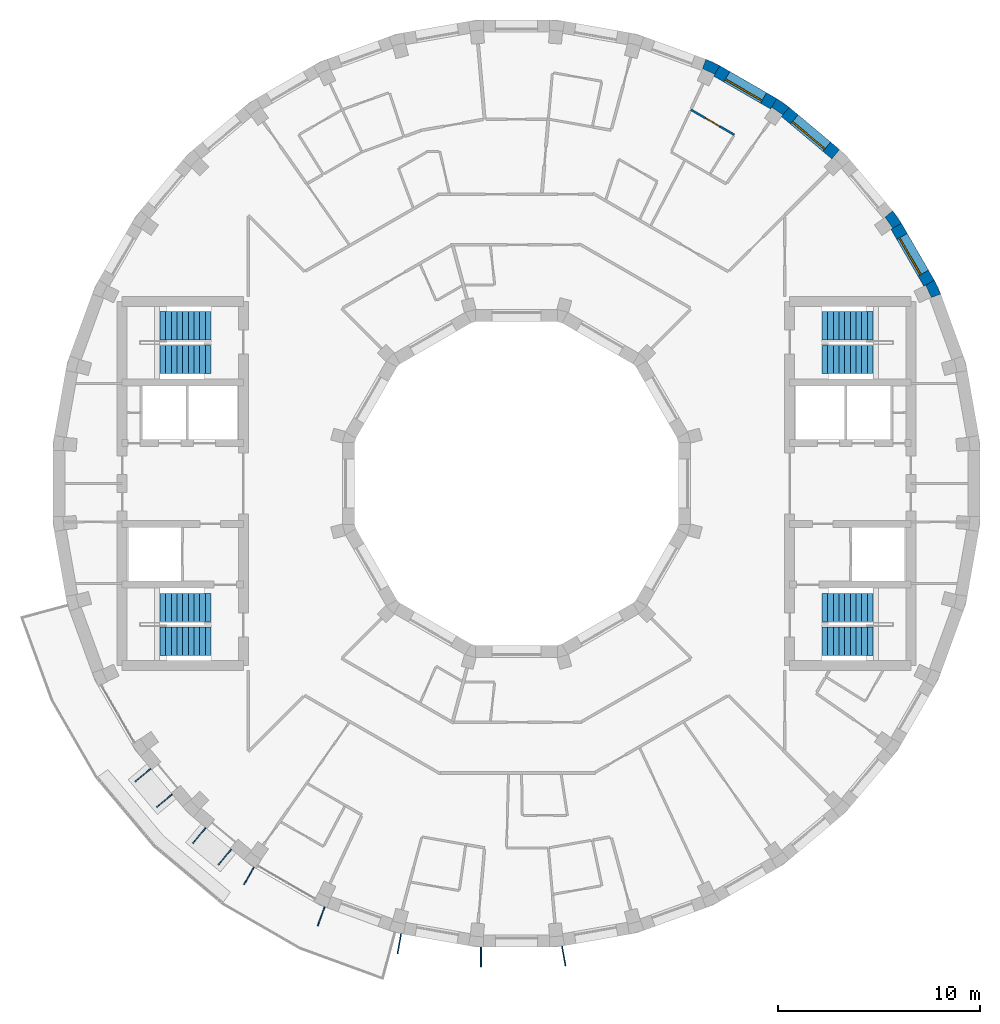
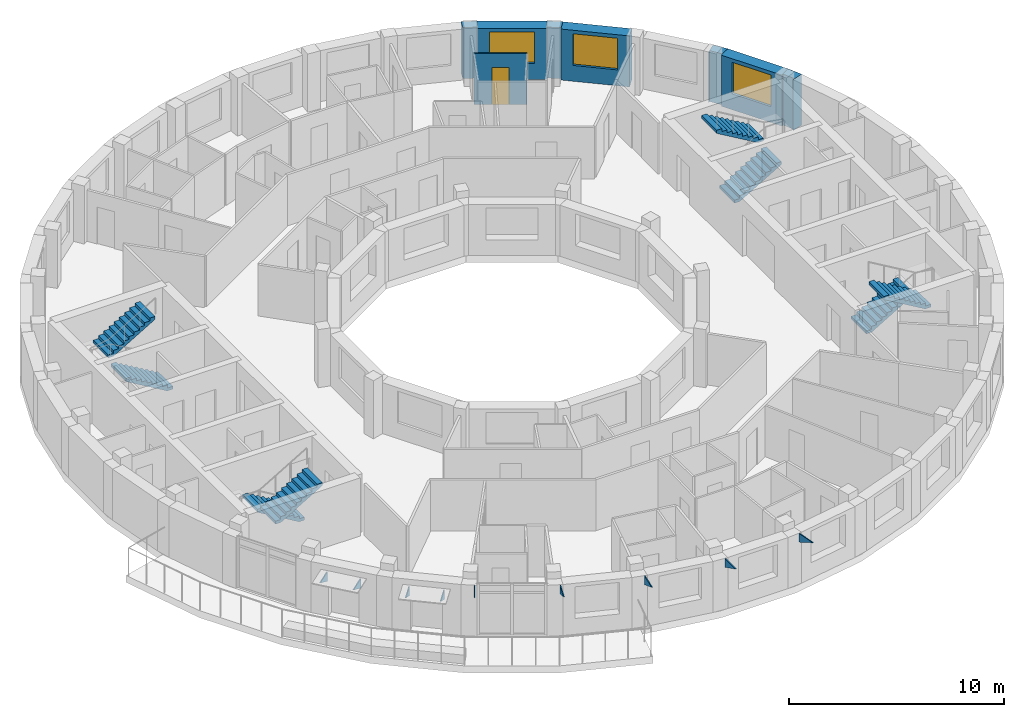
# One storey, part 11 of 12: 9 discrete accessories, 8 stair flights, 8 walls, 3 windows, 1 door, 4 openings, 4 elements without a shape of their own.
"""IFC4 building model written with IfcOpenShell, lengths in metres."""

from ifc_helpers import new_model, si_unit, direction, frame, frame_2d, origin, place, context, subcontext, project, spatial, polyline, rectangle, outline, extrude, material, layer, layer_set, type_object, element, fill, aggregate, save


model = new_model("IFC4")

# Units and contexts
model_context = context("Model", 3, precision=1e-05, world=origin(), true_north=direction((0.0, 1.0)))
body_context = subcontext(model_context, "Body", "Model", "MODEL_VIEW")
ifc_project = project(units=[si_unit("LENGTHUNIT", "METRE"), si_unit("AREAUNIT", "SQUARE_METRE"), si_unit("VOLUMEUNIT", "CUBIC_METRE"), si_unit("PLANEANGLEUNIT", "RADIAN"), si_unit("MASSUNIT", "GRAM", prefix="KILO")], contexts=[model_context])

# Site, building, storey
site_placement = place(None, origin())
site = spatial("IfcSite", under=ifc_project, at=site_placement, CompositionType="ELEMENT")
building_placement = place(site_placement, origin())
building = spatial("IfcBuilding", under=site, at=building_placement, Name="Saqina Gate Tower", CompositionType="ELEMENT")
storey_placement = place(building_placement, frame((0.0, 0.0, 266.0)))
storey = spatial("IfcBuildingStorey", under=building, at=storey_placement, Name="L76", CompositionType="ELEMENT", Elevation=266.0)

# Walls
ifc_material_1 = material(Name="Brick masonry (buff)", Category="masonry")
wall_type_1 = type_object("IfcWallType", Name="BRICK PIER COPING BUFF", PredefinedType="SOLIDWALL", material=ifc_material_1)
wall_1_placement = place(storey_placement, origin())
element("IfcWall", 1, at=wall_1_placement, inside=storey, type_object=wall_type_1, Name="Pier cap L76 column 3", PredefinedType="SOLIDWALL", context=body_context, shape_type="SweptSolid", body=[
    extrude(outline(polyline([(20.974609375, 9.3642578125), (20.65576171875, 10.048095703125), (20.135986328125, 9.748291015625), (20.23193359375, 9.79296875), (20.506591796875, 9.203857421875), (20.410888671875, 9.1591796875), (20.974609375, 9.3642578125)])), origin(), (0.0, 0.0, 1.0), 2.89990234375),
])
wall_2_placement = place(storey_placement, origin())
element("IfcWall", 2, at=wall_2_placement, inside=storey, type_object=wall_type_1, Name="Pier cap L76 column 4", PredefinedType="SOLIDWALL", context=body_context, shape_type="SweptSolid", body=[
    extrude(outline(polyline([(19.02978515625, 12.8642578125), (18.59716796875, 13.482421875), (18.137451171875, 13.0966796875), (18.22412109375, 13.157470703125), (18.596923828125, 12.625), (18.51025390625, 12.564208984375), (19.02978515625, 12.8642578125)])), origin(), (0.0, 0.0, 1.0), 2.89990234375),
])
wall_3_placement = place(storey_placement, origin())
element("IfcWall", 3, at=wall_3_placement, inside=storey, type_object=wall_type_1, Name="Pier cap L76 column 6", PredefinedType="SOLIDWALL", context=body_context, shape_type="SweptSolid", body=[
    extrude(outline(polyline([(12.8642578125, 19.02978515625), (12.564208984375, 18.51025390625), (12.625, 18.596923828125), (13.157470703125, 18.22412109375), (13.0966796875, 18.137451171875), (13.482421875, 18.59716796875), (12.8642578125, 19.02978515625)])), origin(), (0.0, 0.0, 1.0), 2.89990234375),
])
wall_4_placement = place(storey_placement, origin())
element("IfcWall", 4, at=wall_4_placement, inside=storey, type_object=wall_type_1, Name="Pier cap L76 column 7", PredefinedType="SOLIDWALL", context=body_context, shape_type="SweptSolid", body=[
    extrude(outline(polyline([(10.048095703125, 20.65576171875), (9.3642578125, 20.974609375), (9.1591796875, 20.410888671875), (9.203857421875, 20.506591796875), (9.79296875, 20.23193359375), (9.748291015625, 20.135986328125), (10.048095703125, 20.65576171875)])), origin(), (0.0, 0.0, 1.0), 2.89990234375),
])

# Wall, opening, window
ifc_material_2 = material(Name="Brick masonry (buff)", Category="masonry")
ifc_layer_1 = layer(ifc_material_2, 0.60009765625)
ifc_layer_set_1 = layer_set([ifc_layer_1], Name="FW-BRICK-BUFF")
wall_type_2 = type_object("IfcWallType", Name="FW-BRICK-BUFF", PredefinedType="SOLIDWALL", material=ifc_layer_set_1)
wall_5_placement = place(storey_placement, frame((20.39599609375, 9.898193359375, 0.0), z_axis=(0.0, 0.0, 1.0), x_axis=(-0.500014901547, 0.866016800201, 0.0)))
wall_5 = element("IfcWall", 5, at=wall_5_placement, inside=storey, type_object=wall_type_2, Name="Facade wall L76 facet 3", PredefinedType="SOLIDWALL", context=body_context, shape_type="SweptSolid", body=[
    extrude(rectangle(XDim=3.251953125, YDim=0.60009765625, at=frame_2d((1.6259765625, 0.0))), origin(), (0.0, 0.0, 1.0), 2.89990234375),
])
opening_1_placement = place(wall_5_placement, frame((0.57568359375, 0.0, 0.89990234375)))
opening_1 = element("IfcOpeningElement", 6, at=opening_1_placement, cuts=wall_5, Name="Opening G22-W01", PredefinedType="OPENING", context=body_context, shape_type="SweptSolid", body=[
    extrude(rectangle(XDim=2.10009765625, YDim=1.800048828125, at=frame_2d((1.050048828125, 0.89990234375))), frame((0.0, 0.31201171875, 0.0), z_axis=(0.0, -1.0, 0.0), x_axis=(1.0, 0.0, 0.0)), (0.0, 0.0, 1.0), 0.6240234375),
])
ifc_material_3 = material(Name="Aluminium glazing", Category="aluminium")
window_type = type_object("IfcWindowType", Name="WN-D", PartitioningType="SINGLE_PANEL", PredefinedType="WINDOW", material=ifc_material_3)
window_1_placement = place(opening_1_placement, origin())
window_1 = element("IfcWindow", 7, at=window_1_placement, inside=storey, type_object=window_type, Name="Window L76 facet 3", OverallHeight=1.800048828125, OverallWidth=2.10009765625, PartitioningType="SINGLE_PANEL", PredefinedType="WINDOW", context=body_context, shape_type="SweptSolid", body=[
    extrude(rectangle(XDim=2.10009765625, YDim=1.800048828125, at=frame_2d((1.050048828125, 0.89990234375))), frame((0.0, 0.179931640625, 0.0), z_axis=(0.0, -1.0, 0.0), x_axis=(1.0, 0.0, 0.0)), (0.0, 0.0, 1.0), 0.06005859375),
])
fill(opening_1, window_1)

wall_6_placement = place(storey_placement, frame((15.780517578125, 16.277099609375, 0.0), z_axis=(0.0, 0.0, 1.0), x_axis=(-0.766056773982, 0.64277291405, 0.0)))
wall_6 = element("IfcWall", 8, at=wall_6_placement, inside=storey, type_object=wall_type_2, Name="Facade wall L76 facet 5", PredefinedType="SOLIDWALL", context=body_context, shape_type="SweptSolid", body=[
    extrude(rectangle(XDim=3.251708984375, YDim=0.60009765625, at=frame_2d((1.6259765625, 0.0))), origin(), (0.0, 0.0, 1.0), 2.89990234375),
])
opening_2_placement = place(wall_6_placement, frame((0.57568359375, 0.0, 0.89990234375)))
opening_2 = element("IfcOpeningElement", 9, at=opening_2_placement, cuts=wall_6, Name="Opening G22-W03", PredefinedType="OPENING", context=body_context, shape_type="SweptSolid", body=[
    extrude(rectangle(XDim=2.10009765625, YDim=1.800048828125, at=frame_2d((1.050048828125, 0.89990234375))), frame((0.0, 0.31201171875, 0.0), z_axis=(0.0, -1.0, 0.0), x_axis=(1.0, 0.0, 0.0)), (0.0, 0.0, 1.0), 0.6240234375),
])
window_2_placement = place(opening_2_placement, origin())
window_2 = element("IfcWindow", 10, at=window_2_placement, inside=storey, type_object=window_type, Name="Window L76 facet 5", OverallHeight=1.800048828125, OverallWidth=2.10009765625, PartitioningType="SINGLE_PANEL", PredefinedType="WINDOW", context=body_context, shape_type="SweptSolid", body=[
    extrude(rectangle(XDim=2.10009765625, YDim=1.800048828125, at=frame_2d((1.050048828125, 0.89990234375))), frame((0.0, 0.179931640625, 0.0), z_axis=(0.0, -1.0, 0.0), x_axis=(1.0, 0.0, 0.0)), (0.0, 0.0, 1.0), 0.06005859375),
])
fill(opening_2, window_2)

wall_7_placement = place(storey_placement, frame((12.71435546875, 18.77001953125, 0.0), z_axis=(0.0, 0.0, 1.0), x_axis=(-0.866016800201, 0.500014901547, 0.0)))
wall_7 = element("IfcWall", 11, at=wall_7_placement, inside=storey, type_object=wall_type_2, Name="Facade wall L76 facet 6", PredefinedType="SOLIDWALL", context=body_context, shape_type="SweptSolid", body=[
    extrude(rectangle(XDim=3.251953125, YDim=0.60009765625, at=frame_2d((1.6259765625, 0.0))), origin(), (0.0, 0.0, 1.0), 2.89990234375),
])
opening_3_placement = place(wall_7_placement, frame((0.57568359375, 0.0, 0.89990234375)))
opening_3 = element("IfcOpeningElement", 12, at=opening_3_placement, cuts=wall_7, Name="Opening G22-W04", PredefinedType="OPENING", context=body_context, shape_type="SweptSolid", body=[
    extrude(rectangle(XDim=2.10009765625, YDim=1.800048828125, at=frame_2d((1.050048828125, 0.89990234375))), frame((0.0, 0.31201171875, 0.0), z_axis=(0.0, -1.0, 0.0), x_axis=(1.0, 0.0, 0.0)), (0.0, 0.0, 1.0), 0.6240234375),
])
window_3_placement = place(opening_3_placement, origin())
window_3 = element("IfcWindow", 13, at=window_3_placement, inside=storey, type_object=window_type, Name="Window L76 facet 6", OverallHeight=1.800048828125, OverallWidth=2.10009765625, PartitioningType="SINGLE_PANEL", PredefinedType="WINDOW", context=body_context, shape_type="SweptSolid", body=[
    extrude(rectangle(XDim=2.10009765625, YDim=1.800048828125, at=frame_2d((1.050048828125, 0.89990234375))), frame((0.0, 0.179931640625, 0.0), z_axis=(0.0, -1.0, 0.0), x_axis=(1.0, 0.0, 0.0)), (0.0, 0.0, 1.0), 0.06005859375),
])
fill(opening_3, window_3)

# Wall, opening, door
ifc_material_4 = material(Name="Gypsum board on steel studs, 100 mm", Category="steel")
ifc_layer_2 = layer(ifc_material_4, 0.10009765625)
ifc_layer_set_2 = layer_set([ifc_layer_2], Name="PARTITION 100")
wall_type_3 = type_object("IfcWallType", Name="PARTITION 100", PredefinedType="PARTITIONING", material=ifc_layer_set_2)
wall_8_placement = place(storey_placement, frame((8.616943359375, 18.47998046875, 0.0), z_axis=(0.0, 0.0, 1.0), x_axis=(0.866053128592, -0.49995197615, 0.0)))
wall_8 = element("IfcWall", 14, at=wall_8_placement, inside=storey, type_object=wall_type_3, Name="PARTITION PW3-21", PredefinedType="PARTITIONING", context=body_context, shape_type="SweptSolid", body=[
    extrude(rectangle(XDim=2.486083984375, YDim=0.10009765625, at=frame_2d((1.2431640625, 0.0))), origin(), (0.0, 0.0, 1.0), 2.89990234375),
])
opening_4_placement = place(wall_8_placement, frame((0.843017578125, 0.0, 0.0)))
opening_4 = element("IfcOpeningElement", 15, at=opening_4_placement, cuts=wall_8, Name="Opening G22-D05", PredefinedType="OPENING", context=body_context, shape_type="SweptSolid", body=[
    extrude(rectangle(XDim=0.800048828125, YDim=2.10009765625, at=frame_2d((0.39990234375, 1.050048828125))), frame((0.0, 0.06201171875, 0.0), z_axis=(0.0, -1.0, 0.0), x_axis=(1.0, 0.0, 0.0)), (0.0, 0.0, 1.0), 0.1240234375),
])
ifc_material_5 = material(Name="Timber door leaf, 800 mm", Category="wood")
door_type = type_object("IfcDoorType", Name="DOOR 800 TIMBER", OperationType="SINGLE_SWING_LEFT", PredefinedType="DOOR", material=ifc_material_5)
door_placement = place(opening_4_placement, origin())
door = element("IfcDoor", 16, at=door_placement, inside=storey, type_object=door_type, Name="DOOR G22-D05", OperationType="SINGLE_SWING_LEFT", OverallHeight=2.10009765625, OverallWidth=0.800048828125, PredefinedType="DOOR", context=body_context, shape_type="SweptSolid", body=[
    extrude(rectangle(XDim=0.800048828125, YDim=2.10009765625, at=frame_2d((0.39990234375, 1.050048828125))), frame((0.0, 0.02490234375, 0.0), z_axis=(0.0, -1.0, 0.0), x_axis=(1.0, 0.0, 0.0)), (0.0, 0.0, 1.0), 0.050048828125),
])
fill(opening_4, door)

# Stair, stair flights
ifc_material_6 = material(Name="Concrete C40/50", Category="concrete")
stair_type = type_object("IfcStairType", Name="EXIT STAIR", PredefinedType="HALF_TURN_STAIR", material=ifc_material_6)
stair_1_placement = place(storey_placement, origin())
stair_1 = element("IfcStair", 17, at=stair_1_placement, inside=storey, type_object=stair_type, Name="EXIT STAIR 1", PredefinedType="HALF_TURN_STAIR")
ifc_material_7 = material(Name="Concrete C40/50", Category="concrete")
stair_flight_type = type_object("IfcStairFlightType", Name="EXIT STAIR FLIGHT", PredefinedType="STRAIGHT", material=ifc_material_7)
stair_flight_1_placement = place(storey_placement, frame((15.10009765625, 6.13330078125, 0.0), z_axis=(0.0, 0.0, 1.0), x_axis=(1.0, 0.0, 0.0)))
stair_flight_1 = element("IfcStairFlight", 18, at=stair_flight_1_placement, type_object=stair_flight_type, Name="EXIT STAIR 1 FLIGHT 1", NumberOfRisers=10, NumberOfTreads=9, PredefinedType="STRAIGHT", RiserHeight=0.165, TreadLength=0.28, context=body_context, shape_type="SweptSolid", body=[
    extrude(outline(polyline([(0.0, 0.0), (0.0, 0.1650390625), (0.280029296875, 0.1650390625), (0.280029296875, 0.330078125), (0.56005859375, 0.330078125), (0.56005859375, 0.4951171875), (0.840087890625, 0.4951171875), (0.840087890625, 0.659912109375), (1.1201171875, 0.659912109375), (1.1201171875, 0.824951171875), (1.39990234375, 0.824951171875), (1.39990234375, 0.989990234375), (1.679931640625, 0.989990234375), (1.679931640625, 1.155029296875), (1.9599609375, 1.155029296875), (1.9599609375, 1.320068359375), (2.239990234375, 1.320068359375), (2.239990234375, 1.485107421875), (2.52001953125, 1.485107421875), (2.52001953125, 1.64990234375), (2.52001953125, 1.31103515625), (0.295166015625, 0.0), (0.0, 0.0)])), frame((0.0, 0.699951171875, 0.0), z_axis=(0.0, -1.0, 0.0), x_axis=(1.0, 0.0, 0.0)), (0.0, 0.0, 1.0), 1.39990234375),
])
stair_flight_2_placement = place(storey_placement, frame((17.6201171875, 7.791748046875, 1.64990234375), z_axis=(0.0, 0.0, 1.0), x_axis=(-1.0, 0.0, 0.0)))
stair_flight_2 = element("IfcStairFlight", 19, at=stair_flight_2_placement, type_object=stair_flight_type, Name="EXIT STAIR 1 FLIGHT 2", NumberOfRisers=10, NumberOfTreads=9, PredefinedType="STRAIGHT", RiserHeight=0.165, TreadLength=0.28, context=body_context, shape_type="SweptSolid", body=[
    extrude(outline(polyline([(0.0, 0.0), (0.0, 0.1650390625), (0.280029296875, 0.1650390625), (0.280029296875, 0.330078125), (0.56005859375, 0.330078125), (0.56005859375, 0.4951171875), (0.840087890625, 0.4951171875), (0.840087890625, 0.659912109375), (1.1201171875, 0.659912109375), (1.1201171875, 0.824951171875), (1.39990234375, 0.824951171875), (1.39990234375, 0.989990234375), (1.679931640625, 0.989990234375), (1.679931640625, 1.155029296875), (1.9599609375, 1.155029296875), (1.9599609375, 1.320068359375), (2.239990234375, 1.320068359375), (2.239990234375, 1.485107421875), (2.52001953125, 1.485107421875), (2.52001953125, 1.64990234375), (2.52001953125, 1.31103515625), (0.295166015625, 0.0), (0.0, 0.0)])), frame((0.0, 0.699951171875, 0.0), z_axis=(0.0, -1.0, 0.0), x_axis=(1.0, 0.0, 0.0)), (0.0, 0.0, 1.0), 1.39990234375),
])
aggregate(stair_1, [stair_flight_1, stair_flight_2])

stair_2_placement = place(storey_placement, origin())
stair_2 = element("IfcStair", 20, at=stair_2_placement, inside=storey, type_object=stair_type, Name="EXIT STAIR 2", PredefinedType="HALF_TURN_STAIR")
stair_flight_3_placement = place(storey_placement, frame((15.10009765625, -6.13330078125, 0.0), z_axis=(0.0, 0.0, 1.0), x_axis=(1.0, 0.0, 0.0)))
stair_flight_3 = element("IfcStairFlight", 21, at=stair_flight_3_placement, type_object=stair_flight_type, Name="EXIT STAIR 2 FLIGHT 1", NumberOfRisers=10, NumberOfTreads=9, PredefinedType="STRAIGHT", RiserHeight=0.165, TreadLength=0.28, context=body_context, shape_type="SweptSolid", body=[
    extrude(outline(polyline([(0.0, 0.0), (0.0, 0.1650390625), (0.280029296875, 0.1650390625), (0.280029296875, 0.330078125), (0.56005859375, 0.330078125), (0.56005859375, 0.4951171875), (0.840087890625, 0.4951171875), (0.840087890625, 0.659912109375), (1.1201171875, 0.659912109375), (1.1201171875, 0.824951171875), (1.39990234375, 0.824951171875), (1.39990234375, 0.989990234375), (1.679931640625, 0.989990234375), (1.679931640625, 1.155029296875), (1.9599609375, 1.155029296875), (1.9599609375, 1.320068359375), (2.239990234375, 1.320068359375), (2.239990234375, 1.485107421875), (2.52001953125, 1.485107421875), (2.52001953125, 1.64990234375), (2.52001953125, 1.31103515625), (0.295166015625, 0.0), (0.0, 0.0)])), frame((0.0, 0.699951171875, 0.0), z_axis=(0.0, -1.0, 0.0), x_axis=(1.0, 0.0, 0.0)), (0.0, 0.0, 1.0), 1.39990234375),
])
stair_flight_4_placement = place(storey_placement, frame((17.6201171875, -7.791748046875, 1.64990234375), z_axis=(0.0, 0.0, 1.0), x_axis=(-1.0, 0.0, 0.0)))
stair_flight_4 = element("IfcStairFlight", 22, at=stair_flight_4_placement, type_object=stair_flight_type, Name="EXIT STAIR 2 FLIGHT 2", NumberOfRisers=10, NumberOfTreads=9, PredefinedType="STRAIGHT", RiserHeight=0.165, TreadLength=0.28, context=body_context, shape_type="SweptSolid", body=[
    extrude(outline(polyline([(0.0, 0.0), (0.0, 0.1650390625), (0.280029296875, 0.1650390625), (0.280029296875, 0.330078125), (0.56005859375, 0.330078125), (0.56005859375, 0.4951171875), (0.840087890625, 0.4951171875), (0.840087890625, 0.659912109375), (1.1201171875, 0.659912109375), (1.1201171875, 0.824951171875), (1.39990234375, 0.824951171875), (1.39990234375, 0.989990234375), (1.679931640625, 0.989990234375), (1.679931640625, 1.155029296875), (1.9599609375, 1.155029296875), (1.9599609375, 1.320068359375), (2.239990234375, 1.320068359375), (2.239990234375, 1.485107421875), (2.52001953125, 1.485107421875), (2.52001953125, 1.64990234375), (2.52001953125, 1.31103515625), (0.295166015625, 0.0), (0.0, 0.0)])), frame((0.0, 0.699951171875, 0.0), z_axis=(0.0, -1.0, 0.0), x_axis=(1.0, 0.0, 0.0)), (0.0, 0.0, 1.0), 1.39990234375),
])
aggregate(stair_2, [stair_flight_3, stair_flight_4])

stair_3_placement = place(storey_placement, origin())
stair_3 = element("IfcStair", 23, at=stair_3_placement, inside=storey, type_object=stair_type, Name="EXIT STAIR 3", PredefinedType="HALF_TURN_STAIR")
stair_flight_5_placement = place(storey_placement, frame((-15.10009765625, 6.13330078125, 0.0), z_axis=(0.0, 0.0, 1.0), x_axis=(-1.0, 0.0, 0.0)))
stair_flight_5 = element("IfcStairFlight", 24, at=stair_flight_5_placement, type_object=stair_flight_type, Name="EXIT STAIR 3 FLIGHT 1", NumberOfRisers=10, NumberOfTreads=9, PredefinedType="STRAIGHT", RiserHeight=0.165, TreadLength=0.28, context=body_context, shape_type="SweptSolid", body=[
    extrude(outline(polyline([(0.0, 0.0), (0.0, 0.1650390625), (0.280029296875, 0.1650390625), (0.280029296875, 0.330078125), (0.56005859375, 0.330078125), (0.56005859375, 0.4951171875), (0.840087890625, 0.4951171875), (0.840087890625, 0.659912109375), (1.1201171875, 0.659912109375), (1.1201171875, 0.824951171875), (1.39990234375, 0.824951171875), (1.39990234375, 0.989990234375), (1.679931640625, 0.989990234375), (1.679931640625, 1.155029296875), (1.9599609375, 1.155029296875), (1.9599609375, 1.320068359375), (2.239990234375, 1.320068359375), (2.239990234375, 1.485107421875), (2.52001953125, 1.485107421875), (2.52001953125, 1.64990234375), (2.52001953125, 1.31103515625), (0.295166015625, 0.0), (0.0, 0.0)])), frame((0.0, 0.699951171875, 0.0), z_axis=(0.0, -1.0, 0.0), x_axis=(1.0, 0.0, 0.0)), (0.0, 0.0, 1.0), 1.39990234375),
])
stair_flight_6_placement = place(storey_placement, frame((-17.6201171875, 7.791748046875, 1.64990234375), z_axis=(0.0, 0.0, 1.0), x_axis=(1.0, 0.0, 0.0)))
stair_flight_6 = element("IfcStairFlight", 25, at=stair_flight_6_placement, type_object=stair_flight_type, Name="EXIT STAIR 3 FLIGHT 2", NumberOfRisers=10, NumberOfTreads=9, PredefinedType="STRAIGHT", RiserHeight=0.165, TreadLength=0.28, context=body_context, shape_type="SweptSolid", body=[
    extrude(outline(polyline([(0.0, 0.0), (0.0, 0.1650390625), (0.280029296875, 0.1650390625), (0.280029296875, 0.330078125), (0.56005859375, 0.330078125), (0.56005859375, 0.4951171875), (0.840087890625, 0.4951171875), (0.840087890625, 0.659912109375), (1.1201171875, 0.659912109375), (1.1201171875, 0.824951171875), (1.39990234375, 0.824951171875), (1.39990234375, 0.989990234375), (1.679931640625, 0.989990234375), (1.679931640625, 1.155029296875), (1.9599609375, 1.155029296875), (1.9599609375, 1.320068359375), (2.239990234375, 1.320068359375), (2.239990234375, 1.485107421875), (2.52001953125, 1.485107421875), (2.52001953125, 1.64990234375), (2.52001953125, 1.31103515625), (0.295166015625, 0.0), (0.0, 0.0)])), frame((0.0, 0.699951171875, 0.0), z_axis=(0.0, -1.0, 0.0), x_axis=(1.0, 0.0, 0.0)), (0.0, 0.0, 1.0), 1.39990234375),
])
aggregate(stair_3, [stair_flight_5, stair_flight_6])

stair_4_placement = place(storey_placement, origin())
stair_4 = element("IfcStair", 26, at=stair_4_placement, inside=storey, type_object=stair_type, Name="EXIT STAIR 4", PredefinedType="HALF_TURN_STAIR")
stair_flight_7_placement = place(storey_placement, frame((-15.10009765625, -6.13330078125, 0.0), z_axis=(0.0, 0.0, 1.0), x_axis=(-1.0, 0.0, 0.0)))
stair_flight_7 = element("IfcStairFlight", 27, at=stair_flight_7_placement, type_object=stair_flight_type, Name="EXIT STAIR 4 FLIGHT 1", NumberOfRisers=10, NumberOfTreads=9, PredefinedType="STRAIGHT", RiserHeight=0.165, TreadLength=0.28, context=body_context, shape_type="SweptSolid", body=[
    extrude(outline(polyline([(0.0, 0.0), (0.0, 0.1650390625), (0.280029296875, 0.1650390625), (0.280029296875, 0.330078125), (0.56005859375, 0.330078125), (0.56005859375, 0.4951171875), (0.840087890625, 0.4951171875), (0.840087890625, 0.659912109375), (1.1201171875, 0.659912109375), (1.1201171875, 0.824951171875), (1.39990234375, 0.824951171875), (1.39990234375, 0.989990234375), (1.679931640625, 0.989990234375), (1.679931640625, 1.155029296875), (1.9599609375, 1.155029296875), (1.9599609375, 1.320068359375), (2.239990234375, 1.320068359375), (2.239990234375, 1.485107421875), (2.52001953125, 1.485107421875), (2.52001953125, 1.64990234375), (2.52001953125, 1.31103515625), (0.295166015625, 0.0), (0.0, 0.0)])), frame((0.0, 0.699951171875, 0.0), z_axis=(0.0, -1.0, 0.0), x_axis=(1.0, 0.0, 0.0)), (0.0, 0.0, 1.0), 1.39990234375),
])
stair_flight_8_placement = place(storey_placement, frame((-17.6201171875, -7.791748046875, 1.64990234375), z_axis=(0.0, 0.0, 1.0), x_axis=(1.0, 0.0, 0.0)))
stair_flight_8 = element("IfcStairFlight", 28, at=stair_flight_8_placement, type_object=stair_flight_type, Name="EXIT STAIR 4 FLIGHT 2", NumberOfRisers=10, NumberOfTreads=9, PredefinedType="STRAIGHT", RiserHeight=0.165, TreadLength=0.28, context=body_context, shape_type="SweptSolid", body=[
    extrude(outline(polyline([(0.0, 0.0), (0.0, 0.1650390625), (0.280029296875, 0.1650390625), (0.280029296875, 0.330078125), (0.56005859375, 0.330078125), (0.56005859375, 0.4951171875), (0.840087890625, 0.4951171875), (0.840087890625, 0.659912109375), (1.1201171875, 0.659912109375), (1.1201171875, 0.824951171875), (1.39990234375, 0.824951171875), (1.39990234375, 0.989990234375), (1.679931640625, 0.989990234375), (1.679931640625, 1.155029296875), (1.9599609375, 1.155029296875), (1.9599609375, 1.320068359375), (2.239990234375, 1.320068359375), (2.239990234375, 1.485107421875), (2.52001953125, 1.485107421875), (2.52001953125, 1.64990234375), (2.52001953125, 1.31103515625), (0.295166015625, 0.0), (0.0, 0.0)])), frame((0.0, 0.699951171875, 0.0), z_axis=(0.0, -1.0, 0.0), x_axis=(1.0, 0.0, 0.0)), (0.0, 0.0, 1.0), 1.39990234375),
])
aggregate(stair_4, [stair_flight_7, stair_flight_8])

# Discrete accessories
ifc_material_8 = material(Name="Galvanised steel", Category="steel")
ifc_layer_3 = layer(ifc_material_8, 0.050048828125)
ifc_layer_set_3 = layer_set([ifc_layer_3], Name="BR-AWNING")
discrete_accessory_type_1 = type_object("IfcDiscreteAccessoryType", Name="BR-AWNING", PredefinedType="BRACKET", material=ifc_layer_set_3)
discrete_accessory_1_placement = place(storey_placement, frame((-18.06689453125, -14.114501953125, 1.97509765625), z_axis=(0.64275098807, -0.766075170812, 0.0), x_axis=(0.0, 0.0, 1.0)))
element("IfcDiscreteAccessory", 29, at=discrete_accessory_1_placement, inside=storey, type_object=discrete_accessory_type_1, Name="Awning bracket L76 facet 22", PredefinedType="BRACKET", context=body_context, shape_type="SweptSolid", body=[
    extrude(outline(polyline([(0.0, 0.0), (0.5498046875, 0.0), (0.5498046875, 0.9997310574800564), (0.0, 0.0)])), origin(), (0.0, 0.0, -1.0), 0.050048828125),
])
discrete_accessory_2_placement = place(storey_placement, frame((-17.005126953125, -15.379638671875, 1.97509765625), z_axis=(0.642894271969, -0.765954930181, 0.0), x_axis=(0.0, 0.0, 1.0)))
element("IfcDiscreteAccessory", 30, at=discrete_accessory_2_placement, inside=storey, type_object=discrete_accessory_type_1, Name="Awning bracket L76 facet 22", PredefinedType="BRACKET", context=body_context, shape_type="SweptSolid", body=[
    extrude(outline(polyline([(0.0, 0.0), (0.5498046875, 0.0), (0.5498046875, 0.9998879966000863), (0.0, 0.0)])), origin(), (0.0, 0.0, -1.0), 0.050048828125),
])
for number, where, z_axis, x_axis, name in (
    (31, (-15.34130859375, -17.037109375, 1.97509765625), (0.766055819685, -0.64277405138, 0.0), (0.0, 0.0, 1.0), "Awning bracket L76 facet 23"),
    (32, (-14.076171875, -18.098876953125, 1.97509765625), (0.766055819685, -0.64277405138, 0.0), (0.0, 0.0, 1.0), "Awning bracket L76 facet 23"),
):
    element("IfcDiscreteAccessory", number, at=place(storey_placement, frame(where, z_axis=z_axis, x_axis=x_axis)), inside=storey, type_object=discrete_accessory_type_1, Name=name, PredefinedType="BRACKET", context=body_context, shape_type="SweptSolid", body=[
        extrude(outline(polyline([(0.0, 0.0), (0.5498046875, 0.0), (0.5498046875, 1.0000750096322273), (0.0, 0.0)])), origin(), (0.0, 0.0, -1.0), 0.050048828125),
    ])
ifc_material_9 = material(Name="Galvanised steel", Category="steel")
ifc_layer_4 = layer(ifc_material_9, 0.050048828125)
ifc_layer_set_4 = layer_set([ifc_layer_4], Name="BR-GUSSET")
discrete_accessory_type_2 = type_object("IfcDiscreteAccessoryType", Name="BR-GUSSET", PredefinedType="BRACKET", material=ifc_layer_set_4)
discrete_accessory_3_placement = place(storey_placement, frame((-12.9541015625, -18.97802734375, 2.39990234375), z_axis=(0.866010750942, -0.50002537861, 0.0), x_axis=(0.0, 0.0, 1.0)))
element("IfcDiscreteAccessory", 33, at=discrete_accessory_3_placement, inside=storey, type_object=discrete_accessory_type_2, Name="Terrace slab bracket L77 1", PredefinedType="BRACKET", context=body_context, shape_type="SweptSolid", body=[
    extrude(outline(polyline([(0.0, 0.0), (0.5, 0.0), (0.5, 0.9999492453569568), (0.0, 0.0)])), origin(), (0.0, 0.0, -1.0), 0.050048828125),
])
discrete_accessory_4_placement = place(storey_placement, frame((-9.4619140625, -20.939208984375, 2.39990234375), z_axis=(0.939764905391, -0.341821477669, 0.0), x_axis=(0.0, 0.0, 1.0)))
element("IfcDiscreteAccessory", 34, at=discrete_accessory_4_placement, inside=storey, type_object=discrete_accessory_type_2, Name="Terrace slab bracket L77 2", PredefinedType="BRACKET", context=body_context, shape_type="SweptSolid", body=[
    extrude(outline(polyline([(0.0, 0.0), (0.5, 0.0), (0.5, 0.999928024801219), (0.0, 0.0)])), origin(), (0.0, 0.0, -1.0), 0.050048828125),
])
discrete_accessory_5_placement = place(storey_placement, frame((-5.681884765625, -22.263916015625, 2.39990234375), z_axis=(0.984778643263, -0.173813186416, 0.0), x_axis=(0.0, 0.0, 1.0)))
element("IfcDiscreteAccessory", 35, at=discrete_accessory_5_placement, inside=storey, type_object=discrete_accessory_type_2, Name="Terrace slab bracket L77 3", PredefinedType="BRACKET", context=body_context, shape_type="SweptSolid", body=[
    extrude(outline(polyline([(0.0, 0.0), (0.5, 0.0), (0.5, 1.000085946204391), (0.0, 0.0)])), origin(), (0.0, 0.0, -1.0), 0.050048828125),
])
discrete_accessory_6_placement = place(storey_placement, frame((-1.7294921875, -22.91259765625, 2.39990234375), z_axis=(1.0, 0.0, 0.0), x_axis=(0.0, 0.0, 1.0)))
element("IfcDiscreteAccessory", 36, at=discrete_accessory_6_placement, inside=storey, type_object=discrete_accessory_type_2, Name="Terrace slab bracket L77 4", PredefinedType="BRACKET", context=body_context, shape_type="SweptSolid", body=[
    extrude(outline(polyline([(0.0, 0.0), (0.5, 0.0), (0.5, 1.0), (0.0, 0.0)])), origin(), (0.0, 0.0, -1.0), 0.050048828125),
])
discrete_accessory_7_placement = place(storey_placement, frame((2.275390625, -22.86474609375, 2.39990234375), z_axis=(0.984778643263, 0.173813186416, 0.0), x_axis=(0.0, 0.0, 1.0)))
element("IfcDiscreteAccessory", 37, at=discrete_accessory_7_placement, inside=storey, type_object=discrete_accessory_type_2, Name="Terrace slab bracket L77 5", PredefinedType="BRACKET", context=body_context, shape_type="SweptSolid", body=[
    extrude(outline(polyline([(0.0, 0.0), (0.5, 0.0), (0.5, 1.000085946204391), (0.0, 0.0)])), origin(), (0.0, 0.0, -1.0), 0.050048828125),
])

save(model, "model.ifc")
